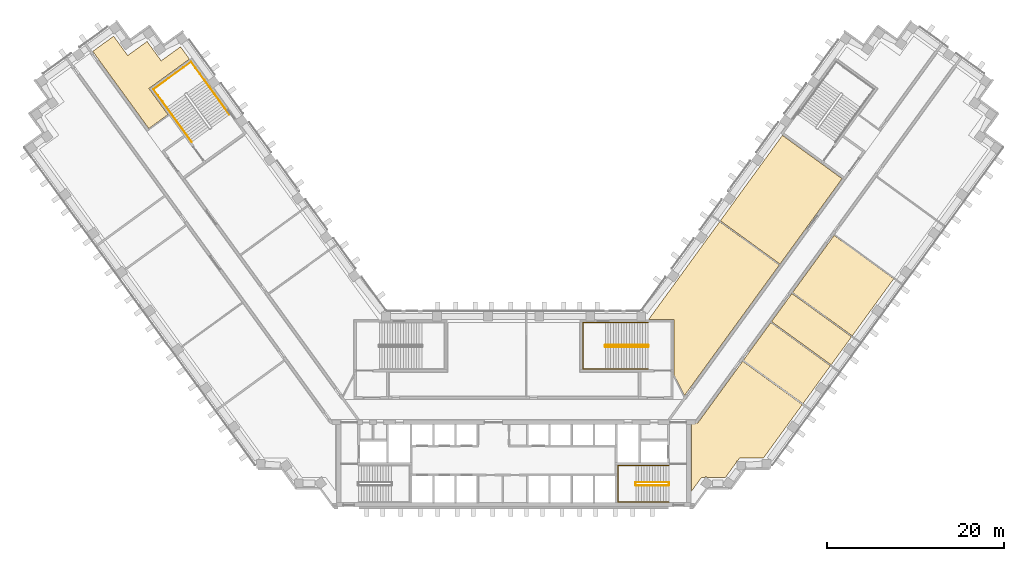
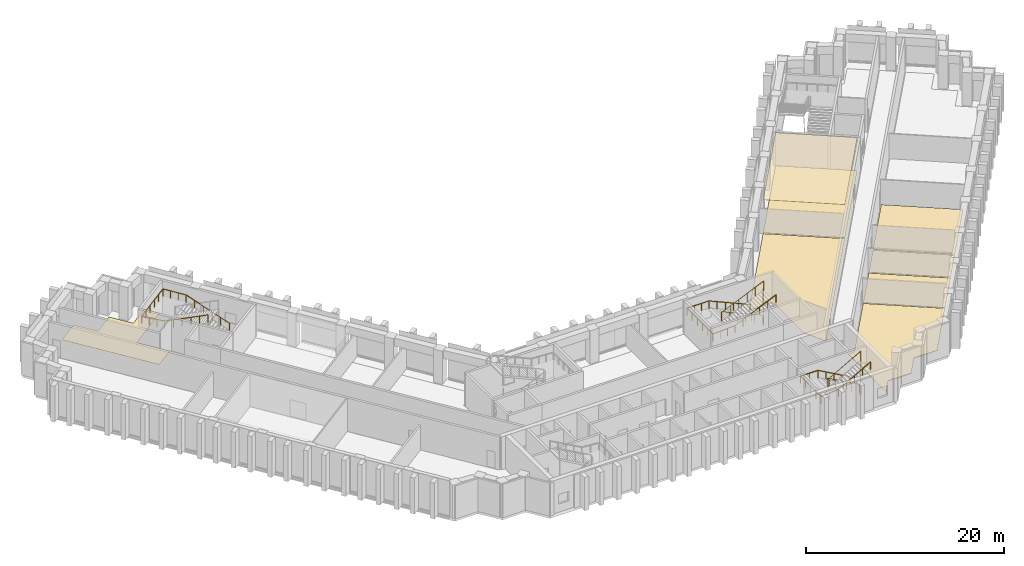
# One storey, part 14 of 15: 8 coverings, 5 railings.
"""IFC4 building model written with IfcOpenShell, lengths in metres."""

from ifc_helpers import new_model, si_unit, direction, frame, origin, origin_2d, place, context, subcontext, project, spatial, polyline, circle, outline, extrude, material, layer, layer_set, type_object, element, save


model = new_model("IFC4")

# Units and contexts
model_context = context("Model", 3, precision=1e-05, world=origin(), true_north=direction((0.0, 1.0)))
body_context = subcontext(model_context, "Body", "Model", "MODEL_VIEW")
ifc_project = project(units=[si_unit("LENGTHUNIT", "METRE"), si_unit("AREAUNIT", "SQUARE_METRE"), si_unit("VOLUMEUNIT", "CUBIC_METRE"), si_unit("PLANEANGLEUNIT", "RADIAN"), si_unit("MASSUNIT", "GRAM", prefix="KILO")], contexts=[model_context])

# Site, building, storey
site_placement = place(None, origin())
site = spatial("IfcSite", under=ifc_project, at=site_placement, CompositionType="ELEMENT")
building_placement = place(site_placement, origin())
building = spatial("IfcBuilding", under=site, at=building_placement, Name="Quipu Civic Tower", CompositionType="ELEMENT")
storey_placement = place(building_placement, frame((0.0, 0.0, 11.5)))
storey = spatial("IfcBuildingStorey", under=building, at=storey_placement, Name="L02", CompositionType="ELEMENT", Elevation=11.5)

# Coverings
ifc_material_1 = material(Name="Mineral fibre acoustic ceiling tile")
ifc_layer_1 = layer(ifc_material_1, 0.0400390625)
ifc_layer_set_1 = layer_set([ifc_layer_1], Name="Mineral fibre acoustic ceiling tile")
covering_type_1 = type_object("IfcCoveringType", Name="Acoustic ceiling tile 600 x 600", PredefinedType="CEILING", material=ifc_layer_set_1)
covering_1_placement = place(storey_placement, frame((0.0, 0.0, 4.06005859375)))
element("IfcCovering", 1, at=covering_1_placement, inside=storey, type_object=covering_type_1, Name="Acoustic ceiling tile 600 x 600", PredefinedType="CEILING", context=body_context, shape_type="SweptSolid", body=[
    extrude(outline(polyline([(23.318115234375, 21.2900390625), (30.31494140625, 30.922119140625), (37.0380859375, 26.0380859375), (30.041015625, 16.406005859375), (23.318115234375, 21.2900390625)])), origin(), (0.0, 0.0, 1.0), 0.0400390625),
])
ifc_material_2 = material(Name="Carpet tile on raised access floor")
ifc_layer_2 = layer(ifc_material_2, 0.02001953125)
ifc_layer_set_2 = layer_set([ifc_layer_2], Name="Carpet tile on raised access floor")
covering_type_2 = type_object("IfcCoveringType", Name="Carpet tile floor finish 20", PredefinedType="FLOORING", material=ifc_layer_set_2)
covering_2_placement = place(storey_placement, origin())
element("IfcCovering", 2, at=covering_2_placement, inside=storey, type_object=covering_type_2, Name="Carpet tile floor finish 20", PredefinedType="FLOORING", context=body_context, shape_type="SweptSolid", body=[
    extrude(outline(polyline([(15.238037109375, 10.169921875), (23.235107421875, 21.177001953125), (29.9580078125, 16.29296875), (19.27197265625, 1.583984375), (18.070068359375, 3.94189453125), (18.070068359375, 10.1689453125), (15.238037109375, 10.169921875)])), origin(), (0.0, 0.0, 1.0), 0.02001953125),
])
covering_3_placement = place(storey_placement, origin())
element("IfcCovering", 3, at=covering_3_placement, inside=storey, type_object=covering_type_2, Name="Carpet tile floor finish 20", PredefinedType="FLOORING", context=body_context, shape_type="SweptSolid", body=[
    extrude(outline(polyline([(31.466064453125, 13.195068359375), (36.14404296875, 19.635009765625), (42.867919921875, 14.751953125), (38.18994140625, 8.31201171875), (31.466064453125, 13.195068359375)])), origin(), (0.0, 0.0, 1.0), 0.02001953125),
])
covering_4_placement = place(storey_placement, origin())
element("IfcCovering", 4, at=covering_4_placement, inside=storey, type_object=covering_type_2, Name="Carpet tile floor finish 20", PredefinedType="FLOORING", context=body_context, shape_type="SweptSolid", body=[
    extrude(outline(polyline([(-47.471923828125, 40.39794921875), (-45.116943359375, 42.10791015625), (-43.531982421875, 39.925048828125), (-41.346923828125, 41.510986328125), (-39.760009765625, 39.326904296875), (-37.574951171875, 40.9130859375), (-36.570068359375, 39.530029296875), (-41.139892578125, 36.208984375), (-38.998046875, 33.260009765625), (-41.15087890625, 31.697021484375), (-47.471923828125, 40.39794921875)])), origin(), (0.0, 0.0, 1.0), 0.02001953125),
])
covering_5_placement = place(storey_placement, origin())
element("IfcCovering", 5, at=covering_5_placement, inside=storey, type_object=covering_type_2, Name="Carpet tile floor finish 20", PredefinedType="FLOORING", context=body_context, shape_type="SweptSolid", body=[
    extrude(outline(polyline([(23.318115234375, 21.2900390625), (30.31494140625, 30.922119140625), (37.0380859375, 26.0380859375), (30.041015625, 16.406005859375), (23.318115234375, 21.2900390625)])), origin(), (0.0, 0.0, 1.0), 0.02001953125),
])
ifc_material_3 = material(Name="Ceramic floor tile")
ifc_layer_3 = layer(ifc_material_3, 0.030029296875)
ifc_layer_set_3 = layer_set([ifc_layer_3], Name="Ceramic floor tile")
covering_type_3 = type_object("IfcCoveringType", Name="Ceramic tile floor finish 30", PredefinedType="FLOORING", material=ifc_layer_set_3)
covering_6_placement = place(storey_placement, origin())
element("IfcCovering", 6, at=covering_6_placement, inside=storey, type_object=covering_type_3, Name="Ceramic tile floor finish 30", PredefinedType="FLOORING", context=body_context, shape_type="SweptSolid", body=[
    extrude(outline(polyline([(25.912109375, 5.550048828125), (29.0029296875, 9.805908203125), (35.72607421875, 4.922119140625), (32.635009765625, 0.666015625), (25.912109375, 5.550048828125)])), origin(), (0.0, 0.0, 1.0), 0.030029296875),
])
covering_7_placement = place(storey_placement, origin())
element("IfcCovering", 7, at=covering_7_placement, inside=storey, type_object=covering_type_3, Name="Ceramic tile floor finish 30", PredefinedType="FLOORING", context=body_context, shape_type="SweptSolid", body=[
    extrude(outline(polyline([(29.0859375, 9.9189453125), (31.383056640625, 13.08203125), (38.10693359375, 8.198974609375), (35.80908203125, 5.034912109375), (29.0859375, 9.9189453125)])), origin(), (0.0, 0.0, 1.0), 0.030029296875),
])
ifc_material_4 = material(Name="Sealed cement screed")
ifc_layer_4 = layer(ifc_material_4, 0.050048828125)
ifc_layer_set_4 = layer_set([ifc_layer_4], Name="Sealed cement screed")
covering_type_4 = type_object("IfcCoveringType", Name="Sealed screed floor finish 50", PredefinedType="FLOORING", material=ifc_layer_set_4)
covering_8_placement = place(storey_placement, origin())
element("IfcCovering", 8, at=covering_8_placement, inside=storey, type_object=covering_type_4, Name="Sealed screed floor finish 50", PredefinedType="FLOORING", context=body_context, shape_type="SweptSolid", body=[
    extrude(outline(polyline([(20.070068359375, -9.195068359375), (20.070068359375, -1.52001953125), (20.77490234375, -1.51904296875), (25.8291015625, 5.43701171875), (32.552001953125, 0.552978515625), (28.181884765625, -5.4609375), (25.48193359375, -5.4619140625), (25.24609375, -5.787109375), (25.174072265625, -5.787109375), (25.1689453125, -5.787109375), (25.1650390625, -5.7880859375), (25.159912109375, -5.7890625), (25.155029296875, -5.791015625), (25.15087890625, -5.79296875), (25.14697265625, -5.794921875), (25.14306640625, -5.798095703125), (25.138916015625, -5.802001953125), (25.135986328125, -5.804931640625), (25.133056640625, -5.80908203125), (25.1298828125, -5.81298828125), (25.1279296875, -5.818115234375), (25.126953125, -5.822021484375), (25.125, -5.826904296875), (25.125, -5.83203125), (25.1240234375, -5.8369140625), (25.1240234375, -5.955078125), (23.89501953125, -7.64599609375), (21.806884765625, -7.64599609375), (21.7109375, -7.575927734375), (21.7060546875, -7.572998046875), (21.701904296875, -7.571044921875), (21.697998046875, -7.569091796875), (21.693115234375, -7.568115234375), (21.68798828125, -7.56689453125), (21.68310546875, -7.56689453125), (21.677978515625, -7.56689453125), (21.673095703125, -7.56689453125), (21.6689453125, -7.568115234375), (21.6640625, -7.570068359375), (21.658935546875, -7.572021484375), (21.655029296875, -7.573974609375), (21.65087890625, -7.576904296875), (21.64697265625, -7.580078125), (21.64404296875, -7.5830078125), (21.64111328125, -7.5869140625), (21.597900390625, -7.64599609375), (21.196044921875, -7.64599609375), (20.070068359375, -9.195068359375)])), origin(), (0.0, 0.0, 1.0), 0.050048828125),
])

# Railings
ifc_material_5 = material(Name="Stainless steel", Category="steel")
railing_type_1 = type_object("IfcRailingType", Name="Stair guard 1100", PredefinedType="GUARDRAIL", material=ifc_material_5)
railing_1_placement = place(storey_placement, frame((17.5, -8.199951171875, 0.173095703125)))
element("IfcRailing", 9, at=railing_1_placement, inside=storey, type_object=railing_type_1, Name="Stair 2 guard", PredefinedType="GUARDRAIL", context=body_context, shape_type="SweptSolid", body=[
    extrude(circle(Radius=0.02392578125, at=origin_2d()), frame((0.0, 0.0, 1.076171875), z_axis=(-0.873133609054, 0.0, 0.487480974747), x_axis=(0.0, -1.0, 0.0)), (0.0, 0.0, 1.0), 4.260498046875),
    extrude(circle(Radius=0.02392578125, at=origin_2d()), frame((-3.719970703125, 0.0, 3.15283203125), z_axis=(-0.707106781187, -0.707106781187, 0.0), x_axis=(0.707106781187, -0.707106781187, 0.0)), (0.0, 0.0, 1.0), 0.07080078125),
    extrude(circle(Radius=0.02392578125, at=origin_2d()), frame((-3.77001953125, -0.050048828125, 3.15283203125), z_axis=(0.0, -1.0, 0.0), x_axis=(1.0, 0.0, 0.0)), (0.0, 0.0, 1.0), 0.25),
    extrude(circle(Radius=0.02392578125, at=origin_2d()), frame((-3.77001953125, -0.300048828125, 3.15283203125), z_axis=(0.267629722418, -0.267629722418, 0.925607186314), x_axis=(0.707106781187, 0.707106781187, 0.0)), (0.0, 0.0, 1.0), 0.18701171875),
    extrude(circle(Radius=0.02392578125, at=origin_2d()), frame((-3.719970703125, -0.35009765625, 3.326171875), z_axis=(0.873133609054, 0.0, 0.487480974747), x_axis=(0.0, 1.0, 0.0)), (0.0, 0.0, 1.0), 4.260498046875),
    extrude(circle(Radius=0.02392578125, at=origin_2d()), frame((0.0, -0.35009765625, 5.40283203125), z_axis=(0.011096637166, 0.066525693058, -0.997723006053), x_axis=(-0.986372223864, 0.164529134168, 0.0)), (0.0, 0.0, 1.0), 4.51025390625),
    extrude(circle(Radius=0.02392578125, at=origin_2d()), frame((0.050048828125, -0.050048828125, 0.90283203125), z_axis=(0.0, -1.0, 0.0), x_axis=(1.0, 0.0, 0.0)), (0.0, 0.0, 1.0), 0.25),
    extrude(circle(Radius=0.02099609375, at=origin_2d()), origin(), (0.0, 0.0, 1.0), 1.052001953125),
    extrude(circle(Radius=0.02099609375, at=origin_2d()), frame((-0.929931640625, 0.0, 0.519287109375)), (0.0, 0.0, 1.0), 1.052001953125),
    extrude(circle(Radius=0.02099609375, at=origin_2d()), frame((-1.85986328125, 0.0, 1.03857421875)), (0.0, 0.0, 1.0), 1.052001953125),
    extrude(circle(Radius=0.02099609375, at=origin_2d()), frame((-2.7900390625, 0.0, 1.5576171875)), (0.0, 0.0, 1.0), 1.052001953125),
    extrude(circle(Radius=0.02099609375, at=origin_2d()), frame((-3.719970703125, 0.0, 2.076904296875)), (0.0, 0.0, 1.0), 1.052001953125),
    extrude(circle(Radius=0.02099609375, at=origin_2d()), frame((-3.77001953125, -0.050048828125, 2.076904296875)), (0.0, 0.0, 1.0), 1.052001953125),
    extrude(circle(Radius=0.02099609375, at=origin_2d()), frame((-3.77001953125, -0.300048828125, 2.076904296875)), (0.0, 0.0, 1.0), 1.052001953125),
    extrude(circle(Radius=0.02099609375, at=origin_2d()), frame((-3.719970703125, -0.35009765625, 2.25)), (0.0, 0.0, 1.0), 1.052001953125),
    extrude(circle(Radius=0.02099609375, at=origin_2d()), frame((-2.7900390625, -0.35009765625, 2.769287109375)), (0.0, 0.0, 1.0), 1.052001953125),
    extrude(circle(Radius=0.02099609375, at=origin_2d()), frame((-1.85986328125, -0.35009765625, 3.28857421875)), (0.0, 0.0, 1.0), 1.052001953125),
    extrude(circle(Radius=0.02099609375, at=origin_2d()), frame((-0.929931640625, -0.35009765625, 3.8076171875)), (0.0, 0.0, 1.0), 1.052001953125),
    extrude(circle(Radius=0.02099609375, at=origin_2d()), frame((0.0, -0.35009765625, 4.326904296875)), (0.0, 0.0, 1.0), 1.052001953125),
    extrude(circle(Radius=0.02099609375, at=origin_2d()), frame((0.012451171875, -0.275146484375, 3.201904296875)), (0.0, 0.0, 1.0), 1.052001953125),
    extrude(circle(Radius=0.02099609375, at=origin_2d()), frame((0.02490234375, -0.2001953125, 2.076904296875)), (0.0, 0.0, 1.0), 1.052001953125),
    extrude(circle(Radius=0.02099609375, at=origin_2d()), frame((0.03759765625, -0.125, 0.951904296875)), (0.0, 0.0, 1.0), 1.052001953125),
    extrude(circle(Radius=0.02099609375, at=origin_2d()), frame((0.050048828125, -0.050048828125, -0.173095703125)), (0.0, 0.0, 1.0), 1.052001953125),
    extrude(circle(Radius=0.02099609375, at=origin_2d()), frame((0.050048828125, -0.300048828125, -0.173095703125)), (0.0, 0.0, 1.0), 1.052001953125),
])
railing_2_placement = place(storey_placement, frame((15.14990234375, 7.300048828125, 0.13232421875)))
element("IfcRailing", 10, at=railing_2_placement, inside=storey, type_object=railing_type_1, Name="Stair 4 guard", PredefinedType="GUARDRAIL", context=body_context, shape_type="SweptSolid", body=[
    extrude(circle(Radius=0.02392578125, at=origin_2d()), frame((0.0, 0.0, 1.076171875), z_axis=(-0.914909713927, 0.0, 0.403658538077), x_axis=(0.0, -1.0, 0.0)), (0.0, 0.0, 1.0), 5.24609375),
    extrude(circle(Radius=0.02392578125, at=origin_2d()), frame((-4.7998046875, 0.0, 3.19384765625), z_axis=(-0.707106781187, -0.707106781187, 0.0), x_axis=(0.707106781187, -0.707106781187, 0.0)), (0.0, 0.0, 1.0), 0.07080078125),
    extrude(circle(Radius=0.02392578125, at=origin_2d()), frame((-4.849853515625, -0.050048828125, 3.19384765625), z_axis=(0.0, -1.0, 0.0), x_axis=(1.0, 0.0, 0.0)), (0.0, 0.0, 1.0), 0.14990234375),
    extrude(circle(Radius=0.02392578125, at=origin_2d()), frame((-4.849853515625, -0.199951171875, 3.19384765625), z_axis=(0.333514590198, -0.333514590198, 0.881780038474), x_axis=(0.707106781187, 0.707106781187, 0.0)), (0.0, 0.0, 1.0), 0.150146484375),
    extrude(circle(Radius=0.02392578125, at=origin_2d()), frame((-4.7998046875, -0.25, 3.326171875), z_axis=(0.914909713927, 0.0, 0.403658538077), x_axis=(0.0, 1.0, 0.0)), (0.0, 0.0, 1.0), 5.24609375),
    extrude(circle(Radius=0.02392578125, at=origin_2d()), frame((0.0, -0.25, 5.44384765625), z_axis=(0.011110312959, 0.044387055188, -0.998952626643), x_axis=(-0.970072785993, 0.242814311512, 0.0)), (0.0, 0.0, 1.0), 4.504638671875),
    extrude(circle(Radius=0.02392578125, at=origin_2d()), frame((0.050048828125, -0.050048828125, 0.94384765625), z_axis=(0.0, -1.0, 0.0), x_axis=(1.0, 0.0, 0.0)), (0.0, 0.0, 1.0), 0.14990234375),
    extrude(circle(Radius=0.02099609375, at=origin_2d()), origin(), (0.0, 0.0, 1.0), 1.052001953125),
    extrude(circle(Radius=0.02099609375, at=origin_2d()), frame((-0.9599609375, 0.0, 0.423583984375)), (0.0, 0.0, 1.0), 1.052001953125),
    extrude(circle(Radius=0.02099609375, at=origin_2d()), frame((-1.919921875, 0.0, 0.84716796875)), (0.0, 0.0, 1.0), 1.052001953125),
    extrude(circle(Radius=0.02099609375, at=origin_2d()), frame((-2.8798828125, 0.0, 1.2705078125)), (0.0, 0.0, 1.0), 1.052001953125),
    extrude(circle(Radius=0.02099609375, at=origin_2d()), frame((-3.83984375, 0.0, 1.694091796875)), (0.0, 0.0, 1.0), 1.052001953125),
    extrude(circle(Radius=0.02099609375, at=origin_2d()), frame((-4.7998046875, 0.0, 2.11767578125)), (0.0, 0.0, 1.0), 1.052001953125),
    extrude(circle(Radius=0.02099609375, at=origin_2d()), frame((-4.849853515625, -0.050048828125, 2.11767578125)), (0.0, 0.0, 1.0), 1.052001953125),
    extrude(circle(Radius=0.02099609375, at=origin_2d()), frame((-4.849853515625, -0.199951171875, 2.11767578125)), (0.0, 0.0, 1.0), 1.052001953125),
    extrude(circle(Radius=0.02099609375, at=origin_2d()), frame((-4.7998046875, -0.25, 2.25)), (0.0, 0.0, 1.0), 1.052001953125),
    extrude(circle(Radius=0.02099609375, at=origin_2d()), frame((-3.83984375, -0.25, 2.673583984375)), (0.0, 0.0, 1.0), 1.052001953125),
    extrude(circle(Radius=0.02099609375, at=origin_2d()), frame((-2.8798828125, -0.25, 3.09716796875)), (0.0, 0.0, 1.0), 1.052001953125),
    extrude(circle(Radius=0.02099609375, at=origin_2d()), frame((-1.919921875, -0.25, 3.5205078125)), (0.0, 0.0, 1.0), 1.052001953125),
    extrude(circle(Radius=0.02099609375, at=origin_2d()), frame((-0.9599609375, -0.25, 3.944091796875)), (0.0, 0.0, 1.0), 1.052001953125),
    extrude(circle(Radius=0.02099609375, at=origin_2d()), frame((0.0, -0.25, 4.36767578125)), (0.0, 0.0, 1.0), 1.052001953125),
    extrude(circle(Radius=0.02099609375, at=origin_2d()), frame((0.012451171875, -0.199951171875, 3.24267578125)), (0.0, 0.0, 1.0), 1.052001953125),
    extrude(circle(Radius=0.02099609375, at=origin_2d()), frame((0.02490234375, -0.14990234375, 2.11767578125)), (0.0, 0.0, 1.0), 1.052001953125),
    extrude(circle(Radius=0.02099609375, at=origin_2d()), frame((0.03759765625, -0.10009765625, 0.99267578125)), (0.0, 0.0, 1.0), 1.052001953125),
    extrude(circle(Radius=0.02099609375, at=origin_2d()), frame((0.050048828125, -0.050048828125, -0.13232421875)), (0.0, 0.0, 1.0), 1.052001953125),
    extrude(circle(Radius=0.02099609375, at=origin_2d()), frame((0.050048828125, -0.199951171875, -0.13232421875)), (0.0, 0.0, 1.0), 1.052001953125),
])
ifc_material_6 = material(Name="Stainless steel", Category="steel")
railing_type_2 = type_object("IfcRailingType", Name="Stair handrail", PredefinedType="HANDRAIL", material=ifc_material_6)
railing_3_placement = place(storey_placement, frame((17.5, -6.300048828125, 0.173095703125)))
element("IfcRailing", 11, at=railing_3_placement, inside=storey, type_object=railing_type_2, Name="Stair 2 handrail", PredefinedType="HANDRAIL", context=body_context, shape_type="SweptSolid", body=[
    extrude(circle(Radius=0.02392578125, at=origin_2d()), frame((0.0, 0.0, 0.8759765625), z_axis=(-0.873133609054, 0.0, 0.487480974747), x_axis=(0.0, -1.0, 0.0)), (0.0, 0.0, 1.0), 4.260498046875),
    extrude(circle(Radius=0.02392578125, at=origin_2d()), frame((-3.719970703125, 0.0, 2.95263671875), z_axis=(-1.0, 0.0, 0.0), x_axis=(0.0, -1.0, 0.0)), (0.0, 0.0, 1.0), 2.030029296875),
    extrude(circle(Radius=0.02392578125, at=origin_2d()), frame((-5.75, 0.0, 2.95263671875), z_axis=(0.0, -1.0, 0.0), x_axis=(1.0, 0.0, 0.0)), (0.0, 0.0, 1.0), 4.14990234375),
    extrude(circle(Radius=0.02392578125, at=origin_2d()), frame((-5.75, -4.14990234375, 2.95263671875), z_axis=(0.996384422715, 0.0, 0.084959297138), x_axis=(0.0, 1.0, 0.0)), (0.0, 0.0, 1.0), 2.037353515625),
    extrude(circle(Radius=0.02392578125, at=origin_2d()), frame((-3.719970703125, -4.14990234375, 3.1259765625), z_axis=(0.873133609054, 0.0, 0.487480974747), x_axis=(0.0, 1.0, 0.0)), (0.0, 0.0, 1.0), 4.260498046875),
    extrude(circle(Radius=0.02099609375, at=origin_2d()), origin(), (0.0, 0.0, 1.0), 0.851806640625),
    extrude(circle(Radius=0.02099609375, at=origin_2d()), frame((-0.929931640625, 0.0, 0.519287109375)), (0.0, 0.0, 1.0), 0.851806640625),
    extrude(circle(Radius=0.02099609375, at=origin_2d()), frame((-1.85986328125, 0.0, 1.03857421875)), (0.0, 0.0, 1.0), 0.851806640625),
    extrude(circle(Radius=0.02099609375, at=origin_2d()), frame((-2.7900390625, 0.0, 1.5576171875)), (0.0, 0.0, 1.0), 0.851806640625),
    extrude(circle(Radius=0.02099609375, at=origin_2d()), frame((-3.719970703125, 0.0, 2.076904296875)), (0.0, 0.0, 1.0), 0.851806640625),
    extrude(circle(Radius=0.02099609375, at=origin_2d()), frame((-4.73486328125, 0.0, 2.076904296875)), (0.0, 0.0, 1.0), 0.851806640625),
    extrude(circle(Radius=0.02099609375, at=origin_2d()), frame((-5.75, 0.0, 2.076904296875)), (0.0, 0.0, 1.0), 0.851806640625),
    extrude(circle(Radius=0.02099609375, at=origin_2d()), frame((-5.75, -1.03759765625, 2.076904296875)), (0.0, 0.0, 1.0), 0.851806640625),
    extrude(circle(Radius=0.02099609375, at=origin_2d()), frame((-5.75, -2.074951171875, 2.076904296875)), (0.0, 0.0, 1.0), 0.851806640625),
    extrude(circle(Radius=0.02099609375, at=origin_2d()), frame((-5.75, -3.1123046875, 2.076904296875)), (0.0, 0.0, 1.0), 0.851806640625),
    extrude(circle(Radius=0.02099609375, at=origin_2d()), frame((-5.75, -4.14990234375, 2.076904296875)), (0.0, 0.0, 1.0), 0.851806640625),
    extrude(circle(Radius=0.02099609375, at=origin_2d()), frame((-4.73486328125, -4.14990234375, 2.16357421875)), (0.0, 0.0, 1.0), 0.851806640625),
    extrude(circle(Radius=0.02099609375, at=origin_2d()), frame((-3.719970703125, -4.14990234375, 2.25)), (0.0, 0.0, 1.0), 0.851806640625),
    extrude(circle(Radius=0.02099609375, at=origin_2d()), frame((-2.7900390625, -4.14990234375, 2.769287109375)), (0.0, 0.0, 1.0), 0.851806640625),
    extrude(circle(Radius=0.02099609375, at=origin_2d()), frame((-1.85986328125, -4.14990234375, 3.28857421875)), (0.0, 0.0, 1.0), 0.851806640625),
    extrude(circle(Radius=0.02099609375, at=origin_2d()), frame((-0.929931640625, -4.14990234375, 3.8076171875)), (0.0, 0.0, 1.0), 0.851806640625),
    extrude(circle(Radius=0.02099609375, at=origin_2d()), frame((0.0, -4.14990234375, 4.326904296875)), (0.0, 0.0, 1.0), 0.851806640625),
])
railing_4_placement = place(storey_placement, frame((15.14990234375, 9.800048828125, 0.13232421875)))
element("IfcRailing", 12, at=railing_4_placement, inside=storey, type_object=railing_type_2, Name="Stair 4 handrail", PredefinedType="HANDRAIL", context=body_context, shape_type="SweptSolid", body=[
    extrude(circle(Radius=0.02392578125, at=origin_2d()), frame((0.0, 0.0, 0.8759765625), z_axis=(-0.914909713927, 0.0, 0.403658538077), x_axis=(0.0, -1.0, 0.0)), (0.0, 0.0, 1.0), 5.24609375),
    extrude(circle(Radius=0.02392578125, at=origin_2d()), frame((-4.7998046875, 0.0, 2.99365234375), z_axis=(-1.0, 0.0, 0.0), x_axis=(0.0, -1.0, 0.0)), (0.0, 0.0, 1.0), 2.550048828125),
    extrude(circle(Radius=0.02392578125, at=origin_2d()), frame((-7.349853515625, 0.0, 2.99365234375), z_axis=(0.0, -1.0, 0.0), x_axis=(1.0, 0.0, 0.0)), (0.0, 0.0, 1.0), 5.25),
    extrude(circle(Radius=0.02392578125, at=origin_2d()), frame((-7.349853515625, -5.25, 2.99365234375), z_axis=(0.998656382309, 0.0, 0.051821135396), x_axis=(0.0, 1.0, 0.0)), (0.0, 0.0, 1.0), 2.553466796875),
    extrude(circle(Radius=0.02392578125, at=origin_2d()), frame((-4.7998046875, -5.25, 3.1259765625), z_axis=(0.914909713927, 0.0, 0.403658538077), x_axis=(0.0, 1.0, 0.0)), (0.0, 0.0, 1.0), 5.24609375),
    extrude(circle(Radius=0.02099609375, at=origin_2d()), origin(), (0.0, 0.0, 1.0), 0.851806640625),
    extrude(circle(Radius=0.02099609375, at=origin_2d()), frame((-0.9599609375, 0.0, 0.423583984375)), (0.0, 0.0, 1.0), 0.851806640625),
    extrude(circle(Radius=0.02099609375, at=origin_2d()), frame((-1.919921875, 0.0, 0.84716796875)), (0.0, 0.0, 1.0), 0.851806640625),
    extrude(circle(Radius=0.02099609375, at=origin_2d()), frame((-2.8798828125, 0.0, 1.2705078125)), (0.0, 0.0, 1.0), 0.851806640625),
    extrude(circle(Radius=0.02099609375, at=origin_2d()), frame((-3.83984375, 0.0, 1.694091796875)), (0.0, 0.0, 1.0), 0.851806640625),
    extrude(circle(Radius=0.02099609375, at=origin_2d()), frame((-4.7998046875, 0.0, 2.11767578125)), (0.0, 0.0, 1.0), 0.851806640625),
    extrude(circle(Radius=0.02099609375, at=origin_2d()), frame((-5.64990234375, 0.0, 2.11767578125)), (0.0, 0.0, 1.0), 0.851806640625),
    extrude(circle(Radius=0.02099609375, at=origin_2d()), frame((-6.499755859375, 0.0, 2.11767578125)), (0.0, 0.0, 1.0), 0.851806640625),
    extrude(circle(Radius=0.02099609375, at=origin_2d()), frame((-7.349853515625, 0.0, 2.11767578125)), (0.0, 0.0, 1.0), 0.851806640625),
    extrude(circle(Radius=0.02099609375, at=origin_2d()), frame((-7.349853515625, -1.050048828125, 2.11767578125)), (0.0, 0.0, 1.0), 0.851806640625),
    extrude(circle(Radius=0.02099609375, at=origin_2d()), frame((-7.349853515625, -2.10009765625, 2.11767578125)), (0.0, 0.0, 1.0), 0.851806640625),
    extrude(circle(Radius=0.02099609375, at=origin_2d()), frame((-7.349853515625, -3.14990234375, 2.11767578125)), (0.0, 0.0, 1.0), 0.851806640625),
    extrude(circle(Radius=0.02099609375, at=origin_2d()), frame((-7.349853515625, -4.199951171875, 2.11767578125)), (0.0, 0.0, 1.0), 0.851806640625),
    extrude(circle(Radius=0.02099609375, at=origin_2d()), frame((-7.349853515625, -5.25, 2.11767578125)), (0.0, 0.0, 1.0), 0.851806640625),
    extrude(circle(Radius=0.02099609375, at=origin_2d()), frame((-6.499755859375, -5.25, 2.161865234375)), (0.0, 0.0, 1.0), 0.851806640625),
    extrude(circle(Radius=0.02099609375, at=origin_2d()), frame((-5.64990234375, -5.25, 2.205810546875)), (0.0, 0.0, 1.0), 0.851806640625),
    extrude(circle(Radius=0.02099609375, at=origin_2d()), frame((-4.7998046875, -5.25, 2.25)), (0.0, 0.0, 1.0), 0.851806640625),
    extrude(circle(Radius=0.02099609375, at=origin_2d()), frame((-3.83984375, -5.25, 2.673583984375)), (0.0, 0.0, 1.0), 0.851806640625),
    extrude(circle(Radius=0.02099609375, at=origin_2d()), frame((-2.8798828125, -5.25, 3.09716796875)), (0.0, 0.0, 1.0), 0.851806640625),
    extrude(circle(Radius=0.02099609375, at=origin_2d()), frame((-1.919921875, -5.25, 3.5205078125)), (0.0, 0.0, 1.0), 0.851806640625),
    extrude(circle(Radius=0.02099609375, at=origin_2d()), frame((-0.9599609375, -5.25, 3.944091796875)), (0.0, 0.0, 1.0), 0.851806640625),
    extrude(circle(Radius=0.02099609375, at=origin_2d()), frame((0.0, -5.25, 4.36767578125)), (0.0, 0.0, 1.0), 0.851806640625),
])
railing_5_placement = place(storey_placement, frame((-32.056396484375, 33.266845703125, 0.13232421875)))
element("IfcRailing", 13, at=railing_5_placement, inside=storey, type_object=railing_type_2, Name="Stair 6 handrail", PredefinedType="HANDRAIL", context=body_context, shape_type="SweptSolid", body=[
    extrude(circle(Radius=0.02392578125, at=origin_2d()), frame((0.0, 0.0, 0.8759765625), z_axis=(-0.537761686143, 0.740190150552, 0.403647011561), x_axis=(-0.809026317077, -0.587772420479, 0.0)), (0.0, 0.0, 1.0), 5.246337890625),
    extrude(circle(Radius=0.02392578125, at=origin_2d()), frame((-2.8212890625, 3.88330078125, 2.99365234375), z_axis=(-0.587767432704, 0.809029940764, 0.0), x_axis=(-0.809029940764, -0.587767432704, 0.0)), (0.0, 0.0, 1.0), 2.550048828125),
    extrude(circle(Radius=0.02392578125, at=origin_2d()), frame((-4.320068359375, 5.9462890625, 2.99365234375), z_axis=(-0.809009483706, -0.587795589702, 0.0), x_axis=(0.587795589702, -0.809009483706, 0.0)), (0.0, 0.0, 1.0), 5.25),
    extrude(circle(Radius=0.02392578125, at=origin_2d()), frame((-8.5673828125, 2.8603515625, 2.99365234375), z_axis=(0.586977638712, -0.807942832239, 0.051823078707), x_axis=(0.809029940764, 0.587767432704, 0.0)), (0.0, 0.0, 1.0), 2.553466796875),
    extrude(circle(Radius=0.02392578125, at=origin_2d()), frame((-7.068603515625, 0.79736328125, 3.1259765625), z_axis=(0.537761686143, -0.740190150552, 0.403647011561), x_axis=(0.809026317077, 0.587772420479, 0.0)), (0.0, 0.0, 1.0), 5.246337890625),
    extrude(circle(Radius=0.02099609375, at=origin_2d()), origin(), (0.0, 0.0, 1.0), 0.851806640625),
    extrude(circle(Radius=0.02099609375, at=origin_2d()), frame((-0.564208984375, 0.776611328125, 0.423583984375)), (0.0, 0.0, 1.0), 0.851806640625),
    extrude(circle(Radius=0.02099609375, at=origin_2d()), frame((-1.12841796875, 1.55322265625, 0.84716796875)), (0.0, 0.0, 1.0), 0.851806640625),
    extrude(circle(Radius=0.02099609375, at=origin_2d()), frame((-1.69287109375, 2.330078125, 1.2705078125)), (0.0, 0.0, 1.0), 0.851806640625),
    extrude(circle(Radius=0.02099609375, at=origin_2d()), frame((-2.257080078125, 3.106689453125, 1.694091796875)), (0.0, 0.0, 1.0), 0.851806640625),
    extrude(circle(Radius=0.02099609375, at=origin_2d()), frame((-2.8212890625, 3.88330078125, 2.11767578125)), (0.0, 0.0, 1.0), 0.851806640625),
    extrude(circle(Radius=0.02099609375, at=origin_2d()), frame((-3.32080078125, 4.571044921875, 2.11767578125)), (0.0, 0.0, 1.0), 0.851806640625),
    extrude(circle(Radius=0.02099609375, at=origin_2d()), frame((-3.820556640625, 5.258544921875, 2.11767578125)), (0.0, 0.0, 1.0), 0.851806640625),
    extrude(circle(Radius=0.02099609375, at=origin_2d()), frame((-4.320068359375, 5.9462890625, 2.11767578125)), (0.0, 0.0, 1.0), 0.851806640625),
    extrude(circle(Radius=0.02099609375, at=origin_2d()), frame((-5.16943359375, 5.3291015625, 2.11767578125)), (0.0, 0.0, 1.0), 0.851806640625),
    extrude(circle(Radius=0.02099609375, at=origin_2d()), frame((-6.01904296875, 4.7119140625, 2.11767578125)), (0.0, 0.0, 1.0), 0.851806640625),
    extrude(circle(Radius=0.02099609375, at=origin_2d()), frame((-6.868408203125, 4.0947265625, 2.11767578125)), (0.0, 0.0, 1.0), 0.851806640625),
    extrude(circle(Radius=0.02099609375, at=origin_2d()), frame((-7.718017578125, 3.4775390625, 2.11767578125)), (0.0, 0.0, 1.0), 0.851806640625),
    extrude(circle(Radius=0.02099609375, at=origin_2d()), frame((-8.5673828125, 2.8603515625, 2.11767578125)), (0.0, 0.0, 1.0), 0.851806640625),
    extrude(circle(Radius=0.02099609375, at=origin_2d()), frame((-8.06787109375, 2.172607421875, 2.161865234375)), (0.0, 0.0, 1.0), 0.851806640625),
    extrude(circle(Radius=0.02099609375, at=origin_2d()), frame((-7.568115234375, 1.485107421875, 2.205810546875)), (0.0, 0.0, 1.0), 0.851806640625),
    extrude(circle(Radius=0.02099609375, at=origin_2d()), frame((-7.068603515625, 0.79736328125, 2.25)), (0.0, 0.0, 1.0), 0.851806640625),
    extrude(circle(Radius=0.02099609375, at=origin_2d()), frame((-6.50439453125, 0.020751953125, 2.673583984375)), (0.0, 0.0, 1.0), 0.851806640625),
    extrude(circle(Radius=0.02099609375, at=origin_2d()), frame((-5.940185546875, -0.755859375, 3.09716796875)), (0.0, 0.0, 1.0), 0.851806640625),
    extrude(circle(Radius=0.02099609375, at=origin_2d()), frame((-5.375732421875, -1.53271484375, 3.5205078125)), (0.0, 0.0, 1.0), 0.851806640625),
    extrude(circle(Radius=0.02099609375, at=origin_2d()), frame((-4.8115234375, -2.309326171875, 3.944091796875)), (0.0, 0.0, 1.0), 0.851806640625),
    extrude(circle(Radius=0.02099609375, at=origin_2d()), frame((-4.247314453125, -3.0859375, 4.36767578125)), (0.0, 0.0, 1.0), 0.851806640625),
])

save(model, "model.ifc")
